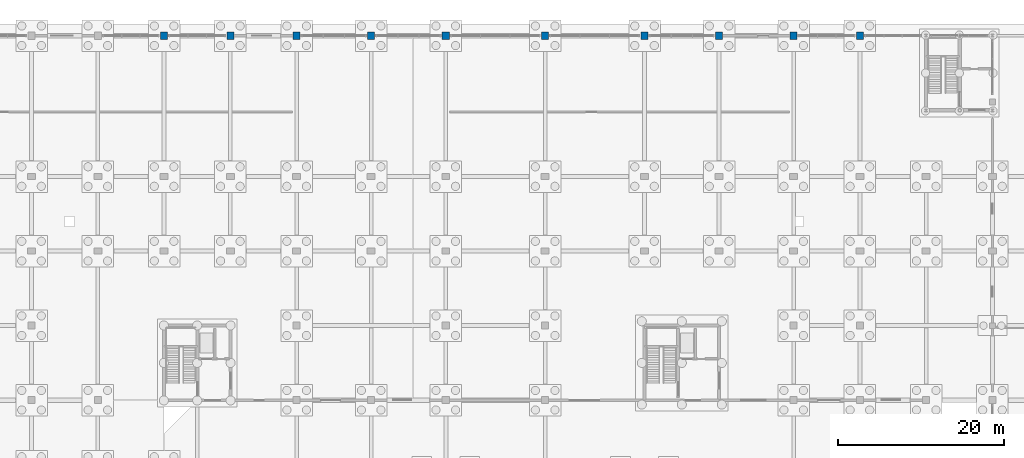
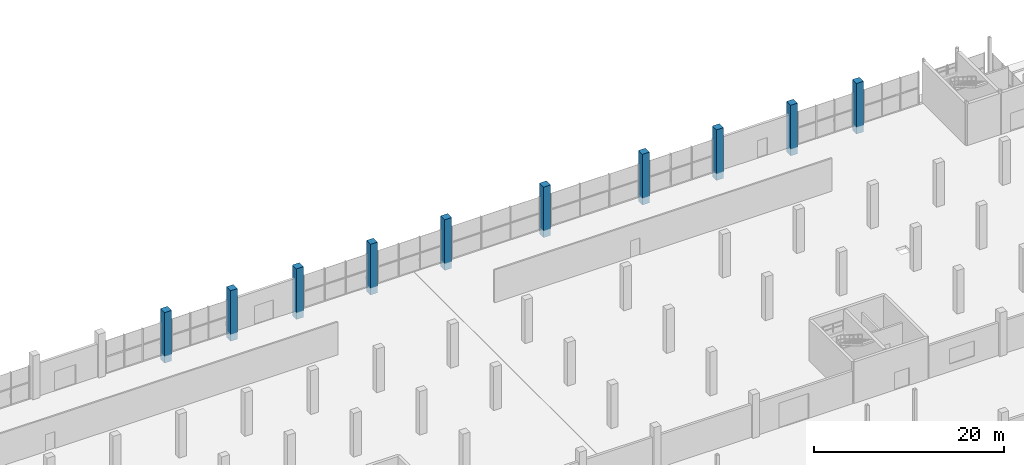
# One storey, part 32 of 98: 10 columns.
"""IFC4 building model written with IfcOpenShell, lengths in metres."""

from ifc_helpers import new_model, si_unit, derived_unit, direction, frame, origin, origin_2d, place, context, subcontext, project, spatial, rectangle, extrude, material, material_profile, profile_set, type_object, element, save


model = new_model("IFC4")

# Units and contexts
model_context = context("Model", 3, precision=1e-05, world=origin(), true_north=direction((0.0, 1.0)))
body_context = subcontext(model_context, "Body", "Model", "MODEL_VIEW")
ifc_project = project(units=[si_unit("LENGTHUNIT", "METRE"), si_unit("AREAUNIT", "SQUARE_METRE"), si_unit("VOLUMEUNIT", "CUBIC_METRE"), si_unit("PLANEANGLEUNIT", "RADIAN"), si_unit("MASSUNIT", "GRAM", prefix="KILO"), si_unit("THERMODYNAMICTEMPERATUREUNIT", "KELVIN"), derived_unit("THERMALTRANSMITTANCEUNIT", [(si_unit("POWERUNIT", "WATT"), 1), (si_unit("AREAUNIT", "SQUARE_METRE"), -1), (si_unit("THERMODYNAMICTEMPERATUREUNIT", "KELVIN"), -1)])], contexts=[model_context])

# Site, building, storey
site_placement = place(None, origin())
site = spatial("IfcSite", under=ifc_project, at=site_placement, CompositionType="ELEMENT")
building_placement = place(site_placement, origin())
building = spatial("IfcBuilding", under=site, at=building_placement, Name="Haiyu Intermodal Mobility Hub", CompositionType="ELEMENT")
storey_placement = place(building_placement, origin())
storey = spatial("IfcBuildingStorey", under=building, at=storey_placement, Name="L00", CompositionType="ELEMENT", Elevation=0.0)

# Columns
ifc_material = material(Name="Precast concrete C40", Category="concrete")
ifc_material_profile = material_profile(ifc_material, rectangle(XDim=0.85009765625, YDim=0.85009765625, at=origin_2d()), Name="RC850x850")
ifc_profile_set = profile_set([ifc_material_profile], Name="Precast concrete C40")
column_type = type_object("IfcColumnType", Name="COL-CC01-EXT", PredefinedType="COLUMN", material=ifc_profile_set)
for number, where, z_axis, x_axis, name in (
    (1, (62.0, 148.0, -0.89990234375), (0.0, 0.0, 1.0), (1.0, 0.0, 0.0), "Column V4-7S L00"),
    (2, (70.0, 148.0, -0.89990234375), (0.0, 0.0, 1.0), (1.0, 0.0, 0.0), "Column V4-8S L00"),
    (3, (78.0, 148.0, -0.89990234375), (0.0, 0.0, 1.0), (1.0, 0.0, 0.0), "Column V4-9S L00"),
    (4, (87.0, 148.0, -0.89990234375), (0.0, 0.0, 1.0), (1.0, 0.0, 0.0), "Column V4-10S L00"),
    (5, (96.0, 148.0, -0.89990234375), (0.0, 0.0, 1.0), (1.0, 0.0, 0.0), "Column V4-11S L00"),
    (6, (108.0, 148.0, -0.89990234375), (0.0, 0.0, 1.0), (1.0, 0.0, 0.0), "Column V4-12S L00"),
    (7, (120.0, 148.0, -0.89990234375), (0.0, 0.0, 1.0), (1.0, 0.0, 0.0), "Column V4-13S L00"),
    (8, (129.0, 148.0, -0.89990234375), (0.0, 0.0, 1.0), (1.0, 0.0, 0.0), "Column V4-14S L00"),
    (9, (138.0, 148.0, -0.89990234375), (0.0, 0.0, 1.0), (1.0, 0.0, 0.0), "Column V4-15S L00"),
    (10, (146.0, 148.0, -0.89990234375), (0.0, 0.0, 1.0), (1.0, 0.0, 0.0), "Column V4-16S L00"),
):
    element("IfcColumn", number, at=place(storey_placement, frame(where, z_axis=z_axis, x_axis=x_axis)), inside=storey, type_object=column_type, Name=name, PredefinedType="COLUMN", context=body_context, shape_type="SweptSolid", body=[
        extrude(rectangle(XDim=0.85009765625, YDim=0.85009765625, at=origin_2d()), origin(), (0.0, 0.0, 1.0), 6.5),
    ])

save(model, "model.ifc")
